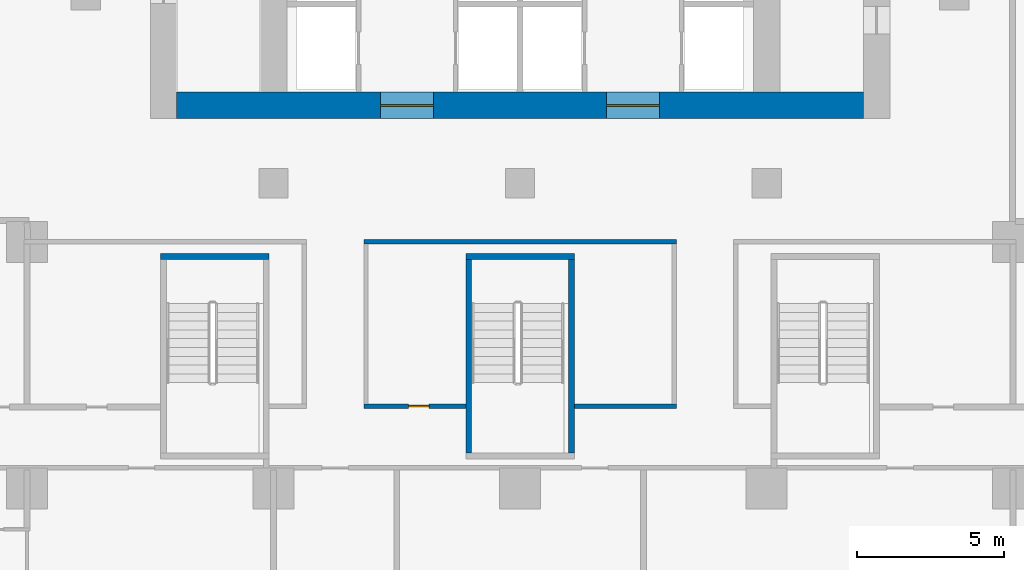
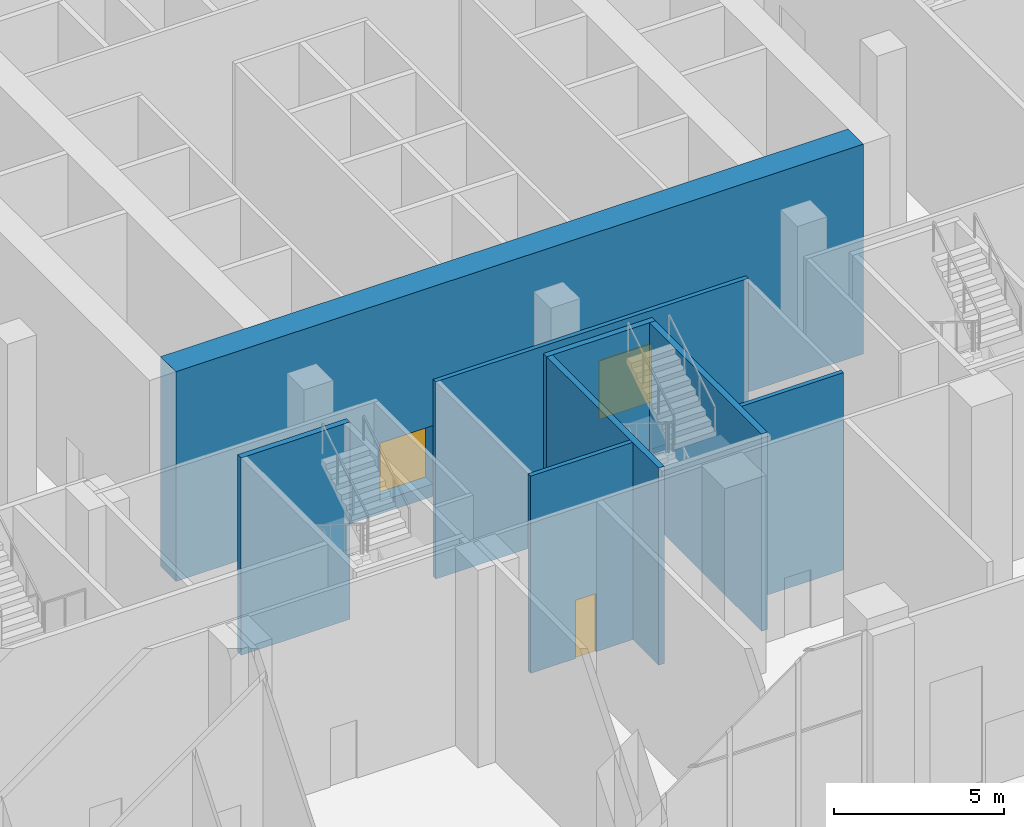
# One storey, part 22 of 53: 8 walls, 3 doors, 3 openings.
"""IFC4 building model written with IfcOpenShell, lengths in metres."""

from ifc_helpers import new_model, si_unit, direction, frame, frame_2d, origin, place, context, subcontext, project, spatial, rectangle, extrude, material, layer, layer_set, type_object, element, fill, save


model = new_model("IFC4")

# Units and contexts
model_context = context("Model", 3, precision=1e-05, world=origin(), true_north=direction((0.0, 1.0)))
body_context = subcontext(model_context, "Body", "Model", "MODEL_VIEW")
ifc_project = project(units=[si_unit("LENGTHUNIT", "METRE"), si_unit("AREAUNIT", "SQUARE_METRE"), si_unit("VOLUMEUNIT", "CUBIC_METRE"), si_unit("PLANEANGLEUNIT", "RADIAN"), si_unit("MASSUNIT", "GRAM", prefix="KILO")], contexts=[model_context])

# Site, building, storey
site_placement = place(None, origin())
site = spatial("IfcSite", under=ifc_project, at=site_placement, CompositionType="ELEMENT")
building_placement = place(site_placement, origin())
building = spatial("IfcBuilding", under=site, at=building_placement, Name="Vermilion Ogive Tower", CompositionType="ELEMENT")
storey_placement = place(building_placement, origin())
storey = spatial("IfcBuildingStorey", under=building, at=storey_placement, Name="L00", CompositionType="ELEMENT", Elevation=0.0)

# Wall, openings, doors
ifc_material_1 = material(Name="Concrete B80", Category="concrete")
ifc_layer_1 = layer(ifc_material_1, 0.89990234375)
ifc_layer_set_1 = layer_set([ifc_layer_1], Name="Core wall 900 B80")
wall_type_1 = type_object("IfcWallType", Name="Core wall 900 B80", PredefinedType="SHEAR", material=ifc_layer_set_1)
wall_1_placement = place(storey_placement, frame((-11.699951171875, -7.949951171875, -0.449951171875), z_axis=(0.0, 0.0, 1.0), x_axis=(1.0, 0.0, 0.0)))
wall_1 = element("IfcWall", 1, at=wall_1_placement, inside=storey, type_object=wall_type_1, Name="L00-CORE-S", PredefinedType="SHEAR", context=body_context, shape_type="SweptSolid", body=[
    extrude(rectangle(XDim=23.39990234375, YDim=0.89990234375, at=frame_2d((11.699951171875, 0.0))), origin(), (0.0, 0.0, 1.0), 7.550048828125),
])
opening_1_placement = place(wall_1_placement, frame((6.949951171875, 0.0, 0.449951171875)))
opening_1 = element("IfcOpeningElement", 2, at=opening_1_placement, cuts=wall_1, Name="Opening DAR001", PredefinedType="OPENING", context=body_context, shape_type="SweptSolid", body=[
    extrude(rectangle(XDim=1.800048828125, YDim=2.10009765625, at=frame_2d((0.89990234375, 1.050048828125))), frame((0.0, 0.4599609375, 0.0), z_axis=(0.0, -1.0, 0.0), x_axis=(1.0, 0.0, 0.0)), (0.0, 0.0, 1.0), 0.919921875),
])
opening_2_placement = place(wall_1_placement, frame((14.64990234375, 0.0, 0.449951171875)))
opening_2 = element("IfcOpeningElement", 3, at=opening_2_placement, cuts=wall_1, Name="Opening DAR002", PredefinedType="OPENING", context=body_context, shape_type="SweptSolid", body=[
    extrude(rectangle(XDim=1.800048828125, YDim=2.10009765625, at=frame_2d((0.89990234375, 1.050048828125))), frame((0.0, 0.4599609375, 0.0), z_axis=(0.0, -1.0, 0.0), x_axis=(1.0, 0.0, 0.0)), (0.0, 0.0, 1.0), 0.919921875),
])
ifc_material_2 = material(Name="Timber door leaf", Category="wood")
door_type_1 = type_object("IfcDoorType", Name="Core entry door 1800 x 2100 FD60S", OperationType="DOUBLE_DOOR_SINGLE_SWING", PredefinedType="DOOR", material=ifc_material_2)
door_1_placement = place(opening_1_placement, origin())
door_1 = element("IfcDoor", 4, at=door_1_placement, inside=storey, type_object=door_type_1, Name="L00-CK-XD1", OperationType="SINGLE_SWING_LEFT", OverallHeight=2.10009765625, OverallWidth=1.800048828125, PredefinedType="DOOR", context=body_context, shape_type="SweptSolid", body=[
    extrude(rectangle(XDim=1.800048828125, YDim=2.10009765625, at=frame_2d((0.89990234375, 1.050048828125))), frame((0.0, 0.02490234375, 0.0), z_axis=(0.0, -1.0, 0.0), x_axis=(1.0, 0.0, 0.0)), (0.0, 0.0, 1.0), 0.050048828125),
])
fill(opening_1, door_1)
door_2_placement = place(opening_2_placement, origin())
door_2 = element("IfcDoor", 5, at=door_2_placement, inside=storey, type_object=door_type_1, Name="L00-CK-XD2", OperationType="SINGLE_SWING_LEFT", OverallHeight=2.10009765625, OverallWidth=1.800048828125, PredefinedType="DOOR", context=body_context, shape_type="SweptSolid", body=[
    extrude(rectangle(XDim=1.800048828125, YDim=2.10009765625, at=frame_2d((0.89990234375, 1.050048828125))), frame((0.0, 0.02490234375, 0.0), z_axis=(0.0, -1.0, 0.0), x_axis=(1.0, 0.0, 0.0)), (0.0, 0.0, 1.0), 0.050048828125),
])
fill(opening_2, door_2)

# Wall, opening, door
ifc_material_3 = material(Name="Gypsum board partition on steel studs", Category="steel")
ifc_layer_2 = layer(ifc_material_3, 0.14990234375)
ifc_layer_set_2 = layer_set([ifc_layer_2], Name="Partition 150 corridor")
wall_type_2 = type_object("IfcWallType", Name="Partition 150 corridor", PredefinedType="PARTITIONING", material=ifc_layer_set_2)
wall_2_placement = place(storey_placement, frame((-5.324951171875, -18.199951171875, 0.0), z_axis=(0.0, 0.0, 1.0), x_axis=(1.0, 0.0, 0.0)))
wall_2 = element("IfcWall", 6, at=wall_2_placement, inside=storey, type_object=wall_type_2, Name="L00-FS-W-W017", PredefinedType="PARTITIONING", context=body_context, shape_type="SweptSolid", body=[
    extrude(rectangle(XDim=3.474853515625, YDim=0.14990234375, at=frame_2d((1.7373046875, 0.0))), origin(), (0.0, 0.0, 1.0), 7.10009765625),
])
opening_3_placement = place(wall_2_placement, frame((1.52490234375, 0.0, 0.0)))
opening_3 = element("IfcOpeningElement", 7, at=opening_3_placement, cuts=wall_2, Name="Opening L00S065", PredefinedType="OPENING", context=body_context, shape_type="SweptSolid", body=[
    extrude(rectangle(XDim=0.699951171875, YDim=2.10009765625, at=frame_2d((0.35009765625, 1.050048828125))), frame((0.0, 0.0849609375, 0.0), z_axis=(0.0, -1.0, 0.0), x_axis=(1.0, 0.0, 0.0)), (0.0, 0.0, 1.0), 0.169921875),
])
ifc_material_4 = material(Name="Timber door leaf", Category="wood")
door_type_2 = type_object("IfcDoorType", Name="Room door 700 x 2100 FD30", OperationType="SINGLE_SWING_LEFT", PredefinedType="DOOR", material=ifc_material_4)
door_3_placement = place(opening_3_placement, origin())
door_3 = element("IfcDoor", 8, at=door_3_placement, inside=storey, type_object=door_type_2, Name="L00-FS-D-D065", OperationType="SINGLE_SWING_LEFT", OverallHeight=2.10009765625, OverallWidth=0.699951171875, PredefinedType="DOOR", context=body_context, shape_type="SweptSolid", body=[
    extrude(rectangle(XDim=0.699951171875, YDim=2.10009765625, at=frame_2d((0.35009765625, 1.050048828125))), frame((0.0, 0.02490234375, 0.0), z_axis=(0.0, -1.0, 0.0), x_axis=(1.0, 0.0, 0.0)), (0.0, 0.0, 1.0), 0.050048828125),
])
fill(opening_3, door_3)

# Walls
wall_3_placement = place(storey_placement, frame((1.85009765625, -18.199951171875, 0.0), z_axis=(0.0, 0.0, 1.0), x_axis=(1.0, 0.0, 0.0)))
element("IfcWall", 9, at=wall_3_placement, inside=storey, type_object=wall_type_2, Name="L00-FS-W-W018", PredefinedType="PARTITIONING", context=body_context, shape_type="SweptSolid", body=[
    extrude(rectangle(XDim=3.474853515625, YDim=0.14990234375, at=frame_2d((1.7373046875, 0.0))), origin(), (0.0, 0.0, 1.0), 7.10009765625),
])
wall_4_placement = place(storey_placement, frame((-5.324951171875, -12.60009765625, 0.0), z_axis=(0.0, 0.0, 1.0), x_axis=(1.0, 0.0, 0.0)))
element("IfcWall", 10, at=wall_4_placement, inside=storey, type_object=wall_type_2, Name="L00-FS-W-W023", PredefinedType="PARTITIONING", context=body_context, shape_type="SweptSolid", body=[
    extrude(rectangle(XDim=10.64990234375, YDim=0.14990234375, at=frame_2d((5.324951171875, 0.0))), origin(), (0.0, 0.0, 1.0), 7.10009765625),
])
ifc_material_5 = material(Name="Concrete B60", Category="concrete")
ifc_layer_3 = layer(ifc_material_5, 0.199951171875)
ifc_layer_set_3 = layer_set([ifc_layer_3], Name="Stair shaft wall 200 Concrete B60")
wall_type_3 = type_object("IfcWallType", Name="Stair shaft wall 200 Concrete B60", PredefinedType="SOLIDWALL", material=ifc_layer_set_3)
wall_5_placement = place(storey_placement, frame((-12.25, -13.10009765625, 0.0), z_axis=(0.0, 0.0, 1.0), x_axis=(1.0, 0.0, 0.0)))
element("IfcWall", 11, at=wall_5_placement, inside=storey, type_object=wall_type_3, Name="L00-SW-ST3-N1", PredefinedType="SOLIDWALL", context=body_context, shape_type="SweptSolid", body=[
    extrude(rectangle(XDim=3.699951171875, YDim=0.199951171875, at=frame_2d((1.85009765625, 0.0))), origin(), (0.0, 0.0, 1.0), 7.10009765625),
])
wall_6_placement = place(storey_placement, frame((-1.85009765625, -13.10009765625, 0.0), z_axis=(0.0, 0.0, 1.0), x_axis=(1.0, 0.0, 0.0)))
element("IfcWall", 12, at=wall_6_placement, inside=storey, type_object=wall_type_3, Name="L00-SW-ST4-N1", PredefinedType="SOLIDWALL", context=body_context, shape_type="SweptSolid", body=[
    extrude(rectangle(XDim=3.7001953125, YDim=0.199951171875, at=frame_2d((1.85009765625, 0.0))), origin(), (0.0, 0.0, 1.0), 7.10009765625),
])
for number, where, z_axis, x_axis, name in (
    (13, (-1.75, -19.800048828125, 0.0), (0.0, 0.0, 1.0), (0.0, 1.0, 0.0), "L00-SW-ST4-W1"),
    (14, (1.75, -19.800048828125, 0.0), (0.0, 0.0, 1.0), (0.0, 1.0, 0.0), "L00-SW-ST4-E1"),
):
    element("IfcWall", number, at=place(storey_placement, frame(where, z_axis=z_axis, x_axis=x_axis)), inside=storey, type_object=wall_type_3, Name=name, PredefinedType="SOLIDWALL", context=body_context, shape_type="SweptSolid", body=[
        extrude(rectangle(XDim=6.60009765625, YDim=0.199951171875, at=frame_2d((3.300048828125, 0.0))), origin(), (0.0, 0.0, 1.0), 7.10009765625),
    ])

save(model, "model.ifc")
